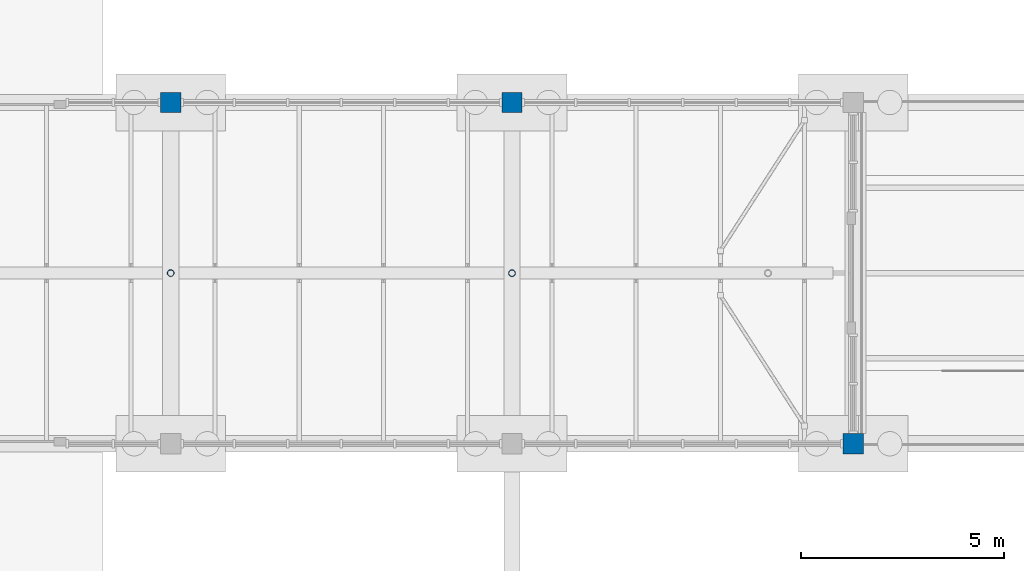
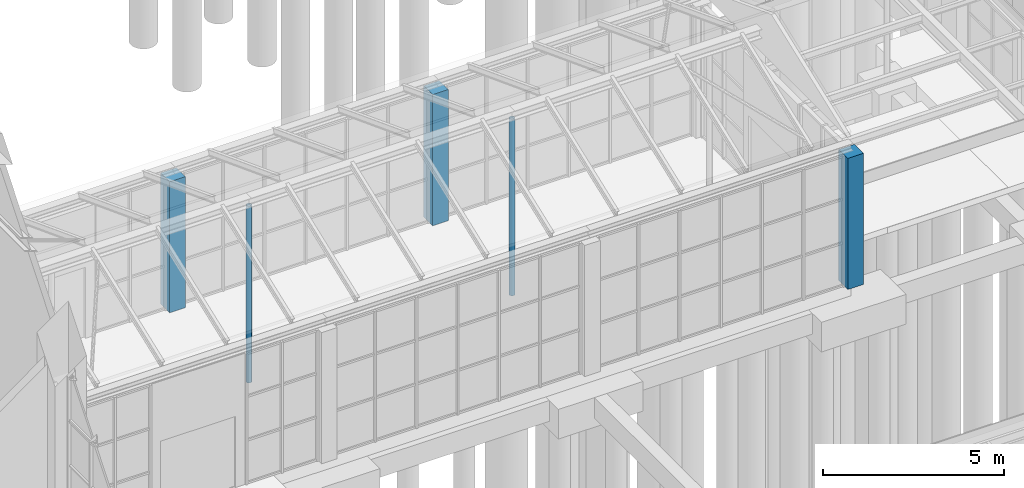
# One storey, part 22 of 138: 5 columns.
"""IFC4 building model written with IfcOpenShell, lengths in metres."""

from ifc_helpers import new_model, si_unit, direction, frame, origin, origin_2d, place, context, subcontext, project, spatial, rectangle, hollow_circle, extrude, material, material_profile, profile_set, type_object, element, save


model = new_model("IFC4")

# Units and contexts
model_context = context("Model", 3, precision=1e-05, world=origin(), true_north=direction((0.0, 1.0)))
body_context = subcontext(model_context, "Body", "Model", "MODEL_VIEW")
ifc_project = project(units=[si_unit("LENGTHUNIT", "METRE"), si_unit("AREAUNIT", "SQUARE_METRE"), si_unit("VOLUMEUNIT", "CUBIC_METRE"), si_unit("PLANEANGLEUNIT", "RADIAN"), si_unit("MASSUNIT", "GRAM", prefix="KILO")], contexts=[model_context])

# Site, building, storey
site_placement = place(None, origin())
site = spatial("IfcSite", under=ifc_project, at=site_placement, CompositionType="ELEMENT")
building_placement = place(site_placement, origin())
building = spatial("IfcBuilding", under=site, at=building_placement, Name="Yavir Park General Hospital", CompositionType="ELEMENT")
storey_placement = place(building_placement, origin())
storey = spatial("IfcBuildingStorey", under=building, at=storey_placement, Name="L00", CompositionType="ELEMENT", Elevation=0.0)

# Columns
ifc_material_1 = material(Name="Steel S355", Category="steel")
ifc_material_profile_1 = material_profile(ifc_material_1, hollow_circle(Radius=0.084228515625, WallThickness=0.008056640625, at=origin_2d()), Name="CHS168.3x8")
ifc_profile_set_1 = profile_set([ifc_material_profile_1], Name="Steel S355")
column_type_1 = type_object("IfcColumnType", Name="CHS 168.3x8 ridge post", PredefinedType="COLUMN", material=ifc_profile_set_1)
for number, where, z_axis, x_axis, name in (
    (1, (117.60009765625, 54.60009765625, 0.0), (0.0, 0.0, 1.0), (1.0, 0.0, 0.0), "RF:CONC:frame:K:1"),
    (2, (126.0, 54.60009765625, 0.0), (0.0, 0.0, 1.0), (1.0, 0.0, 0.0), "RF:CONC:frame:K:2"),
):
    element("IfcColumn", number, at=place(storey_placement, frame(where, z_axis=z_axis, x_axis=x_axis)), inside=storey, type_object=column_type_1, Name=name, PredefinedType="COLUMN", context=body_context, shape_type="SweptSolid", body=[
        extrude(hollow_circle(Radius=0.084228515625, WallThickness=0.008056640625, at=origin_2d()), origin(), (0.0, 0.0, 1.0), 5.9580078125),
    ])
ifc_material_2 = material(Name="Concrete C40/50", Category="concrete")
ifc_material_profile_2 = material_profile(ifc_material_2, rectangle(XDim=0.5, YDim=0.5, at=origin_2d()), Name="RC500x500")
ifc_profile_set_2 = profile_set([ifc_material_profile_2], Name="Concrete C40/50")
column_type_2 = type_object("IfcColumnType", Name="RC COLUMN 500x500", PredefinedType="COLUMN", material=ifc_profile_set_2)
for number, where, z_axis, x_axis, name in (
    (3, (134.39990234375, 50.39990234375, 0.0), (0.0, 0.0, 1.0), (1.0, 0.0, 0.0), "C:L00:17G"),
    (4, (117.60009765625, 58.800048828125, 0.0), (0.0, 0.0, 1.0), (1.0, 0.0, 0.0), "C:L00:15H"),
    (5, (126.0, 58.800048828125, 0.0), (0.0, 0.0, 1.0), (1.0, 0.0, 0.0), "C:L00:16H"),
):
    element("IfcColumn", number, at=place(storey_placement, frame(where, z_axis=z_axis, x_axis=x_axis)), inside=storey, type_object=column_type_2, Name=name, PredefinedType="COLUMN", context=body_context, shape_type="SweptSolid", body=[
        extrude(rectangle(XDim=0.5, YDim=0.5, at=origin_2d()), origin(), (0.0, 0.0, 1.0), 4.425048828125),
    ])

save(model, "model.ifc")
